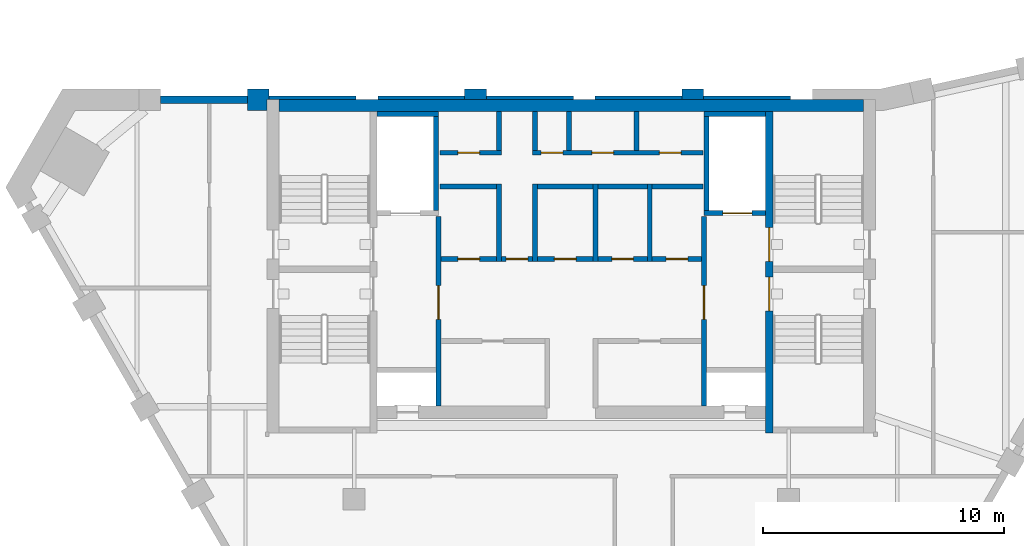
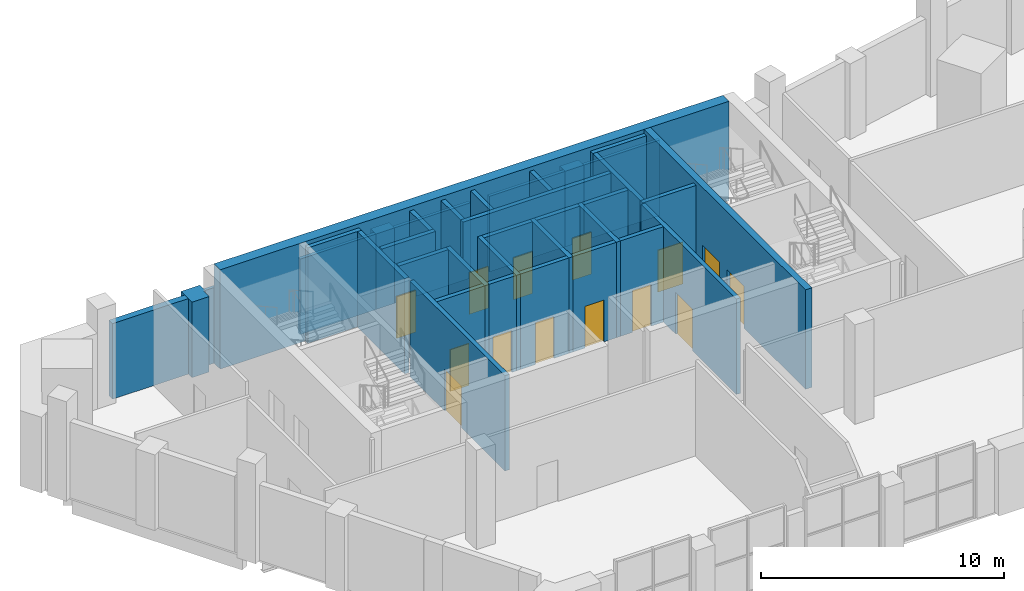
# One storey, part 5 of 9: 37 walls, 14 doors, 14 openings.
"""IFC4 building model written with IfcOpenShell, lengths in metres."""

from ifc_helpers import new_model, si_unit, direction, frame, frame_2d, origin, place, context, subcontext, project, spatial, polyline, rectangle, outline, extrude, material, layer, layer_set, type_object, element, fill, save


model = new_model("IFC4")

# Units and contexts
model_context = context("Model", 3, precision=1e-05, world=origin(), true_north=direction((0.0, 1.0)))
body_context = subcontext(model_context, "Body", "Model", "MODEL_VIEW")
ifc_project = project(units=[si_unit("LENGTHUNIT", "METRE"), si_unit("AREAUNIT", "SQUARE_METRE"), si_unit("VOLUMEUNIT", "CUBIC_METRE"), si_unit("PLANEANGLEUNIT", "RADIAN"), si_unit("MASSUNIT", "GRAM", prefix="KILO")], contexts=[model_context])

# Site, building, storey
site_placement = place(None, origin())
site = spatial("IfcSite", under=ifc_project, at=site_placement, CompositionType="ELEMENT")
building_placement = place(site_placement, origin())
building = spatial("IfcBuilding", under=site, at=building_placement, Name="Calabash Gate Tower", CompositionType="ELEMENT")
storey_placement = place(building_placement, frame((0.0, 0.0, 325.5)))
storey = spatial("IfcBuildingStorey", under=building, at=storey_placement, Name="L76", CompositionType="ELEMENT", Elevation=325.5)

# Walls
ifc_material_1 = material(Name="Terracotta brick masonry, exposed face", Category="masonry")
ifc_layer_1 = layer(ifc_material_1, 0.89990234375)
ifc_layer_set_1 = layer_set([ifc_layer_1], Name="Brick end wall 900")
wall_type_1 = type_object("IfcWallType", Name="Brick end wall 900", PredefinedType="SOLIDWALL", material=ifc_layer_set_1)
wall_1_placement = place(storey_placement, origin())
element("IfcWall", 1, at=wall_1_placement, inside=storey, type_object=wall_type_1, Name="Brick pier L76 crown6.1", PredefinedType="SOLIDWALL", context=body_context, shape_type="SweptSolid", body=[
    extrude(outline(polyline([(4.584228515625, 19.50244140625), (4.584228515625, 19.052490234375), (5.484375, 19.052490234375), (5.484375, 19.50244140625), (4.584228515625, 19.50244140625)])), origin(), (0.0, 0.0, 1.0), 3.800048828125),
])
wall_2_placement = place(storey_placement, origin())
element("IfcWall", 2, at=wall_2_placement, inside=storey, type_object=wall_type_1, Name="Brick pier L76 crown6.3", PredefinedType="SOLIDWALL", context=body_context, shape_type="SweptSolid", body=[
    extrude(outline(polyline([(-4.415771484375, 19.50244140625), (-4.415771484375, 19.052490234375), (-3.515625, 19.052490234375), (-3.515625, 19.50244140625), (-4.415771484375, 19.50244140625)])), origin(), (0.0, 0.0, 1.0), 3.800048828125),
])
wall_3_placement = place(storey_placement, origin())
element("IfcWall", 3, at=wall_3_placement, inside=storey, type_object=wall_type_1, Name="Brick pier L76 crown6.5", PredefinedType="SOLIDWALL", context=body_context, shape_type="SweptSolid", body=[
    extrude(outline(polyline([(-13.415771484375, 19.50244140625), (-13.415771484375, 18.6025390625), (-12.60009765625, 18.6025390625), (-12.60009765625, 19.052490234375), (-12.515625, 19.052490234375), (-12.515625, 19.50244140625), (-13.415771484375, 19.50244140625)])), origin(), (0.0, 0.0, 1.0), 3.800048828125),
])

# Wall, opening, door
ifc_material_2 = material(Name="Gypsum board on steel studs, mineral wool", Category="steel")
ifc_layer_2 = layer(ifc_material_2, 0.199951171875)
ifc_layer_set_2 = layer_set([ifc_layer_2], Name="Core partition 200 gypsum board")
wall_type_2 = type_object("IfcWallType", Name="Core partition 200 gypsum board", PredefinedType="PARTITIONING", material=ifc_layer_set_2)
wall_4_placement = place(storey_placement, frame((-5.39990234375, 12.45263671875, 0.0), z_axis=(0.0, 0.0, 1.0), x_axis=(1.0, 0.0, 0.0)))
wall_4 = element("IfcWall", 4, at=wall_4_placement, inside=storey, type_object=wall_type_2, Name="Core partition", PredefinedType="PARTITIONING", context=body_context, shape_type="SweptSolid", body=[
    extrude(rectangle(XDim=2.2998046875, YDim=0.199951171875, at=frame_2d((1.14990234375, 0.0))), origin(), (0.0, 0.0, 1.0), 4.800048828125),
])
opening_1_placement = place(wall_4_placement, frame((0.699951171875, 0.0, 0.0)))
opening_1 = element("IfcOpeningElement", 5, at=opening_1_placement, cuts=wall_4, Name="Opening L76-020", PredefinedType="OPENING", context=body_context, shape_type="SweptSolid", body=[
    extrude(rectangle(XDim=0.89990234375, YDim=2.10009765625, at=frame_2d((0.449951171875, 1.050048828125))), frame((0.0, 0.10986328125, 0.0), z_axis=(0.0, -1.0, 0.0), x_axis=(1.0, 0.0, 0.0)), (0.0, 0.0, 1.0), 0.219970703125),
])
ifc_material_3 = material(Name="Steel fire door set with fire-resisting glazing", Category="steel")
door_type_1 = type_object("IfcDoorType", Name="Fire door D06 900x2100 FD60", OperationType="NOTDEFINED", PredefinedType="DOOR", material=ifc_material_3)
door_1_placement = place(opening_1_placement, origin())
door_1 = element("IfcDoor", 6, at=door_1_placement, inside=storey, type_object=door_type_1, Name="Mechanical Pump Room door", OperationType="SINGLE_SWING_RIGHT", OverallHeight=2.10009765625, OverallWidth=0.89990234375, PredefinedType="DOOR", context=body_context, shape_type="SweptSolid", body=[
    extrude(rectangle(XDim=0.89990234375, YDim=2.10009765625, at=frame_2d((0.449951171875, 1.050048828125))), frame((0.0, 0.02490234375, 0.0), z_axis=(0.0, -1.0, 0.0), x_axis=(1.0, 0.0, 0.0)), (0.0, 0.0, 1.0), 0.050048828125),
])
fill(opening_1, door_1)

# Wall
wall_5_placement = place(storey_placement, frame((-3.0, 12.3525390625, 0.0), z_axis=(0.0, 0.0, 1.0), x_axis=(0.0, 1.0, 0.0)))
element("IfcWall", 7, at=wall_5_placement, inside=storey, type_object=wall_type_2, Name="Core partition", PredefinedType="PARTITIONING", context=body_context, shape_type="SweptSolid", body=[
    extrude(rectangle(XDim=3.199951171875, YDim=0.199951171875, at=frame_2d((1.60009765625, 0.0))), origin(), (0.0, 0.0, 1.0), 4.800048828125),
])

# Wall, opening, door
wall_6_placement = place(storey_placement, frame((-2.89990234375, 12.45263671875, 0.0), z_axis=(0.0, 0.0, 1.0), x_axis=(1.0, 0.0, 0.0)))
wall_6 = element("IfcWall", 8, at=wall_6_placement, inside=storey, type_object=wall_type_2, Name="Core partition", PredefinedType="PARTITIONING", context=body_context, shape_type="SweptSolid", body=[
    extrude(rectangle(XDim=1.2998046875, YDim=0.199951171875, at=frame_2d((0.64990234375, 0.0))), origin(), (0.0, 0.0, 1.0), 4.800048828125),
])
opening_2_placement = place(wall_6_placement, frame((0.199951171875, 0.0, 0.0)))
opening_2 = element("IfcOpeningElement", 9, at=opening_2_placement, cuts=wall_6, Name="Opening L76-009", PredefinedType="OPENING", context=body_context, shape_type="SweptSolid", body=[
    extrude(rectangle(XDim=0.89990234375, YDim=2.10009765625, at=frame_2d((0.449951171875, 1.050048828125))), frame((0.0, 0.10986328125, 0.0), z_axis=(0.0, -1.0, 0.0), x_axis=(1.0, 0.0, 0.0)), (0.0, 0.0, 1.0), 0.219970703125),
])
door_2_placement = place(opening_2_placement, origin())
door_2 = element("IfcDoor", 10, at=door_2_placement, inside=storey, type_object=door_type_1, Name="Service Corridor door", OperationType="SINGLE_SWING_RIGHT", OverallHeight=2.10009765625, OverallWidth=0.89990234375, PredefinedType="DOOR", context=body_context, shape_type="SweptSolid", body=[
    extrude(rectangle(XDim=0.89990234375, YDim=2.10009765625, at=frame_2d((0.449951171875, 1.050048828125))), frame((0.0, 0.02490234375, 0.0), z_axis=(0.0, -1.0, 0.0), x_axis=(1.0, 0.0, 0.0)), (0.0, 0.0, 1.0), 0.050048828125),
])
fill(opening_2, door_2)

# Wall
wall_7_placement = place(storey_placement, frame((-1.5, 12.3525390625, 0.0), z_axis=(0.0, 0.0, 1.0), x_axis=(0.0, 1.0, 0.0)))
element("IfcWall", 11, at=wall_7_placement, inside=storey, type_object=wall_type_2, Name="Core partition", PredefinedType="PARTITIONING", context=body_context, shape_type="SweptSolid", body=[
    extrude(rectangle(XDim=3.199951171875, YDim=0.199951171875, at=frame_2d((1.60009765625, 0.0))), origin(), (0.0, 0.0, 1.0), 4.800048828125),
])

# Wall, opening, door
wall_8_placement = place(storey_placement, frame((-1.39990234375, 12.45263671875, 0.0), z_axis=(0.0, 0.0, 1.0), x_axis=(1.0, 0.0, 0.0)))
wall_8 = element("IfcWall", 12, at=wall_8_placement, inside=storey, type_object=wall_type_2, Name="Core partition", PredefinedType="PARTITIONING", context=body_context, shape_type="SweptSolid", body=[
    extrude(rectangle(XDim=2.2998046875, YDim=0.199951171875, at=frame_2d((1.14990234375, 0.0))), origin(), (0.0, 0.0, 1.0), 4.800048828125),
])
opening_3_placement = place(wall_8_placement, frame((0.699951171875, 0.0, 0.0)))
opening_3 = element("IfcOpeningElement", 13, at=opening_3_placement, cuts=wall_8, Name="Opening L76-021", PredefinedType="OPENING", context=body_context, shape_type="SweptSolid", body=[
    extrude(rectangle(XDim=0.89990234375, YDim=2.10009765625, at=frame_2d((0.449951171875, 1.050048828125))), frame((0.0, 0.10986328125, 0.0), z_axis=(0.0, -1.0, 0.0), x_axis=(1.0, 0.0, 0.0)), (0.0, 0.0, 1.0), 0.219970703125),
])
door_3_placement = place(opening_3_placement, origin())
door_3 = element("IfcDoor", 14, at=door_3_placement, inside=storey, type_object=door_type_1, Name="Heat Exchanger Plant Room door", OperationType="SINGLE_SWING_RIGHT", OverallHeight=2.10009765625, OverallWidth=0.89990234375, PredefinedType="DOOR", context=body_context, shape_type="SweptSolid", body=[
    extrude(rectangle(XDim=0.89990234375, YDim=2.10009765625, at=frame_2d((0.449951171875, 1.050048828125))), frame((0.0, 0.02490234375, 0.0), z_axis=(0.0, -1.0, 0.0), x_axis=(1.0, 0.0, 0.0)), (0.0, 0.0, 1.0), 0.050048828125),
])
fill(opening_3, door_3)

# Wall
wall_9_placement = place(storey_placement, frame((1.0, 12.3525390625, 0.0), z_axis=(0.0, 0.0, 1.0), x_axis=(0.0, 1.0, 0.0)))
element("IfcWall", 15, at=wall_9_placement, inside=storey, type_object=wall_type_2, Name="Core partition", PredefinedType="PARTITIONING", context=body_context, shape_type="SweptSolid", body=[
    extrude(rectangle(XDim=3.199951171875, YDim=0.199951171875, at=frame_2d((1.60009765625, 0.0))), origin(), (0.0, 0.0, 1.0), 4.800048828125),
])

# Wall, opening, door
wall_10_placement = place(storey_placement, frame((1.10009765625, 12.45263671875, 0.0), z_axis=(0.0, 0.0, 1.0), x_axis=(1.0, 0.0, 0.0)))
wall_10 = element("IfcWall", 16, at=wall_10_placement, inside=storey, type_object=wall_type_2, Name="Core partition", PredefinedType="PARTITIONING", context=body_context, shape_type="SweptSolid", body=[
    extrude(rectangle(XDim=2.0498046875, YDim=0.199951171875, at=frame_2d((1.02490234375, 0.0))), origin(), (0.0, 0.0, 1.0), 4.800048828125),
])
opening_4_placement = place(wall_10_placement, frame((0.574951171875, 0.0, 0.0)))
opening_4 = element("IfcOpeningElement", 17, at=opening_4_placement, cuts=wall_10, Name="Opening L76-018", PredefinedType="OPENING", context=body_context, shape_type="SweptSolid", body=[
    extrude(rectangle(XDim=0.89990234375, YDim=2.10009765625, at=frame_2d((0.449951171875, 1.050048828125))), frame((0.0, 0.10986328125, 0.0), z_axis=(0.0, -1.0, 0.0), x_axis=(1.0, 0.0, 0.0)), (0.0, 0.0, 1.0), 0.219970703125),
])
door_4_placement = place(opening_4_placement, origin())
door_4 = element("IfcDoor", 18, at=door_4_placement, inside=storey, type_object=door_type_1, Name="Maintenance Store door", OperationType="SINGLE_SWING_RIGHT", OverallHeight=2.10009765625, OverallWidth=0.89990234375, PredefinedType="DOOR", context=body_context, shape_type="SweptSolid", body=[
    extrude(rectangle(XDim=0.89990234375, YDim=2.10009765625, at=frame_2d((0.449951171875, 1.050048828125))), frame((0.0, 0.02490234375, 0.0), z_axis=(0.0, -1.0, 0.0), x_axis=(1.0, 0.0, 0.0)), (0.0, 0.0, 1.0), 0.050048828125),
])
fill(opening_4, door_4)

# Wall
wall_11_placement = place(storey_placement, frame((3.25, 12.3525390625, 0.0), z_axis=(0.0, 0.0, 1.0), x_axis=(0.0, 1.0, 0.0)))
element("IfcWall", 19, at=wall_11_placement, inside=storey, type_object=wall_type_2, Name="Core partition", PredefinedType="PARTITIONING", context=body_context, shape_type="SweptSolid", body=[
    extrude(rectangle(XDim=3.199951171875, YDim=0.199951171875, at=frame_2d((1.60009765625, 0.0))), origin(), (0.0, 0.0, 1.0), 4.800048828125),
])

# Wall, opening, door
wall_12_placement = place(storey_placement, frame((3.35009765625, 12.45263671875, 0.0), z_axis=(0.0, 0.0, 1.0), x_axis=(1.0, 0.0, 0.0)))
wall_12 = element("IfcWall", 20, at=wall_12_placement, inside=storey, type_object=wall_type_2, Name="Core partition", PredefinedType="PARTITIONING", context=body_context, shape_type="SweptSolid", body=[
    extrude(rectangle(XDim=2.0498046875, YDim=0.199951171875, at=frame_2d((1.02490234375, 0.0))), origin(), (0.0, 0.0, 1.0), 4.800048828125),
])
opening_5_placement = place(wall_12_placement, frame((0.574951171875, 0.0, 0.0)))
opening_5 = element("IfcOpeningElement", 21, at=opening_5_placement, cuts=wall_12, Name="Opening L76-019", PredefinedType="OPENING", context=body_context, shape_type="SweptSolid", body=[
    extrude(rectangle(XDim=0.89990234375, YDim=2.10009765625, at=frame_2d((0.449951171875, 1.050048828125))), frame((0.0, 0.10986328125, 0.0), z_axis=(0.0, -1.0, 0.0), x_axis=(1.0, 0.0, 0.0)), (0.0, 0.0, 1.0), 0.219970703125),
])
door_5_placement = place(opening_5_placement, origin())
door_5 = element("IfcDoor", 22, at=door_5_placement, inside=storey, type_object=door_type_1, Name="Plant Control Room door", OperationType="SINGLE_SWING_LEFT", OverallHeight=2.10009765625, OverallWidth=0.89990234375, PredefinedType="DOOR", context=body_context, shape_type="SweptSolid", body=[
    extrude(rectangle(XDim=0.89990234375, YDim=2.10009765625, at=frame_2d((0.449951171875, 1.050048828125))), frame((0.0, 0.02490234375, 0.0), z_axis=(0.0, -1.0, 0.0), x_axis=(1.0, 0.0, 0.0)), (0.0, 0.0, 1.0), 0.050048828125),
])
fill(opening_5, door_5)

# Walls
wall_13_placement = place(storey_placement, frame((-1.39990234375, 15.45263671875, 0.0), z_axis=(0.0, 0.0, 1.0), x_axis=(1.0, 0.0, 0.0)))
element("IfcWall", 23, at=wall_13_placement, inside=storey, type_object=wall_type_2, Name="Core partition", PredefinedType="PARTITIONING", context=body_context, shape_type="SweptSolid", body=[
    extrude(rectangle(XDim=2.2998046875, YDim=0.199951171875, at=frame_2d((1.14990234375, 0.0))), origin(), (0.0, 0.0, 1.0), 4.800048828125),
])
wall_14_placement = place(storey_placement, frame((1.10009765625, 15.45263671875, 0.0), z_axis=(0.0, 0.0, 1.0), x_axis=(1.0, 0.0, 0.0)))
element("IfcWall", 24, at=wall_14_placement, inside=storey, type_object=wall_type_2, Name="Core partition", PredefinedType="PARTITIONING", context=body_context, shape_type="SweptSolid", body=[
    extrude(rectangle(XDim=2.0498046875, YDim=0.199951171875, at=frame_2d((1.02490234375, 0.0))), origin(), (0.0, 0.0, 1.0), 4.800048828125),
])
for number, where, z_axis, x_axis, name in (
    (25, (-3.0, 16.95263671875, 0.0), (0.0, 0.0, 1.0), (0.0, 1.0, 0.0), "Core partition"),
    (26, (-1.5, 16.95263671875, 0.0), (0.0, 0.0, 1.0), (0.0, 1.0, 0.0), "Core partition"),
    (27, (-0.10009765625, 16.95263671875, 0.0), (0.0, 0.0, 1.0), (0.0, 1.0, 0.0), "Core partition"),
    (28, (2.699951171875, 16.95263671875, 0.0), (0.0, 0.0, 1.0), (0.0, 1.0, 0.0), "Core partition"),
):
    element("IfcWall", number, at=place(storey_placement, frame(where, z_axis=z_axis, x_axis=x_axis)), inside=storey, type_object=wall_type_2, Name=name, PredefinedType="PARTITIONING", context=body_context, shape_type="SweptSolid", body=[
        extrude(rectangle(XDim=1.599853515625, YDim=0.199951171875, at=frame_2d((0.7998046875, 0.0))), origin(), (0.0, 0.0, 1.0), 4.800048828125),
    ])

# Wall, openings, doors
ifc_material_4 = material(Name="Concrete C60/75", Category="concrete")
ifc_layer_3 = layer(ifc_material_4, 0.300048828125)
ifc_layer_set_3 = layer_set([ifc_layer_3], Name="Core wall 300 Concrete C60/75")
wall_type_3 = type_object("IfcWallType", Name="Core wall 300 Concrete C60/75", PredefinedType="SHEAR", material=ifc_layer_set_3)
wall_15_placement = place(storey_placement, frame((8.199951171875, 5.252685546875, 0.0), z_axis=(0.0, 0.0, 1.0), x_axis=(0.0, 1.0, 0.0)))
wall_15 = element("IfcWall", 29, at=wall_15_placement, inside=storey, type_object=wall_type_3, Name="Core wall C-PARTE L76", PredefinedType="SHEAR", context=body_context, shape_type="SweptSolid", body=[
    extrude(rectangle(XDim=13.2998046875, YDim=0.300048828125, at=frame_2d((6.64990234375, 0.0))), origin(), (0.0, 0.0, 1.0), 5.0),
])
opening_6_placement = place(wall_15_placement, frame((7.10009765625, 0.0, 0.0)))
opening_6 = element("IfcOpeningElement", 30, at=opening_6_placement, cuts=wall_15, Name="Opening L76-003", PredefinedType="OPENING", context=body_context, shape_type="SweptSolid", body=[
    extrude(rectangle(XDim=1.39990234375, YDim=2.10009765625, at=frame_2d((0.699951171875, 1.050048828125))), frame((0.0, 0.159912109375, 0.0), z_axis=(0.0, -1.0, 0.0), x_axis=(1.0, 0.0, 0.0)), (0.0, 0.0, 1.0), 0.320068359375),
])
opening_7_placement = place(wall_15_placement, frame((5.050048828125, 0.0, 0.0)))
opening_7 = element("IfcOpeningElement", 31, at=opening_7_placement, cuts=wall_15, Name="Opening L76-004", PredefinedType="OPENING", context=body_context, shape_type="SweptSolid", body=[
    extrude(rectangle(XDim=1.39990234375, YDim=2.10009765625, at=frame_2d((0.699951171875, 1.050048828125))), frame((0.0, 0.159912109375, 0.0), z_axis=(0.0, -1.0, 0.0), x_axis=(1.0, 0.0, 0.0)), (0.0, 0.0, 1.0), 0.320068359375),
])
ifc_material_5 = material(Name="Steel fire door set with fire-resisting glazing", Category="steel")
door_type_2 = type_object("IfcDoorType", Name="Fire door D05 1400x2100 FD90", OperationType="NOTDEFINED", PredefinedType="DOOR", material=ifc_material_5)
door_6_placement = place(opening_6_placement, origin())
door_6 = element("IfcDoor", 32, at=door_6_placement, inside=storey, type_object=door_type_2, Name="Exit stair door ST3", OperationType="SINGLE_SWING_RIGHT", OverallHeight=2.10009765625, OverallWidth=1.39990234375, PredefinedType="DOOR", context=body_context, shape_type="SweptSolid", body=[
    extrude(rectangle(XDim=1.39990234375, YDim=2.10009765625, at=frame_2d((0.699951171875, 1.050048828125))), frame((0.0, 0.02490234375, 0.0), z_axis=(0.0, -1.0, 0.0), x_axis=(1.0, 0.0, 0.0)), (0.0, 0.0, 1.0), 0.050048828125),
])
fill(opening_6, door_6)
door_7_placement = place(opening_7_placement, origin())
door_7 = element("IfcDoor", 33, at=door_7_placement, inside=storey, type_object=door_type_2, Name="Exit stair door ST4", OperationType="SINGLE_SWING_LEFT", OverallHeight=2.10009765625, OverallWidth=1.39990234375, PredefinedType="DOOR", context=body_context, shape_type="SweptSolid", body=[
    extrude(rectangle(XDim=1.39990234375, YDim=2.10009765625, at=frame_2d((0.699951171875, 1.050048828125))), frame((0.0, 0.02490234375, 0.0), z_axis=(0.0, -1.0, 0.0), x_axis=(1.0, 0.0, 0.0)), (0.0, 0.0, 1.0), 0.050048828125),
])
fill(opening_7, door_7)

# Wall
ifc_material_6 = material(Name="Concrete C60/75", Category="concrete")
ifc_layer_4 = layer(ifc_material_6, 0.5)
ifc_layer_set_4 = layer_set([ifc_layer_4], Name="Core wall 500 Concrete C60/75")
wall_type_4 = type_object("IfcWallType", Name="Core wall 500 Concrete C60/75", PredefinedType="SHEAR", material=ifc_layer_set_4)
wall_16_placement = place(storey_placement, frame((-12.10009765625, 18.802490234375, 0.0), z_axis=(0.0, 0.0, 1.0), x_axis=(1.0, 0.0, 0.0)))
element("IfcWall", 34, at=wall_16_placement, inside=storey, type_object=wall_type_4, Name="Core wall C-N L76", PredefinedType="SHEAR", context=body_context, shape_type="SweptSolid", body=[
    extrude(rectangle(XDim=24.2001953125, YDim=0.5, at=frame_2d((12.10009765625, 0.0))), origin(), (0.0, 0.0, 1.0), 5.0),
])

# Wall, opening, door
ifc_material_7 = material(Name="Concrete C40/50", Category="concrete")
ifc_layer_5 = layer(ifc_material_7, 0.199951171875)
ifc_layer_set_5 = layer_set([ifc_layer_5], Name="Shaft wall 200 Concrete C40/50")
wall_type_5 = type_object("IfcWallType", Name="Shaft wall 200 Concrete C40/50", PredefinedType="SOLIDWALL", material=ifc_layer_set_5)
wall_17_placement = place(storey_placement, frame((-5.5, 6.3525390625, 0.0), z_axis=(0.0, 0.0, 1.0), x_axis=(0.0, 1.0, 0.0)))
wall_17 = element("IfcWall", 35, at=wall_17_placement, inside=storey, type_object=wall_type_5, Name="Shaft wall", PredefinedType="SOLIDWALL", context=body_context, shape_type="SweptSolid", body=[
    extrude(rectangle(XDim=7.85009765625, YDim=0.199951171875, at=frame_2d((3.925048828125, 0.0))), origin(), (0.0, 0.0, 1.0), 4.800048828125),
])
opening_8_placement = place(wall_17_placement, frame((3.60009765625, 0.0, 0.0)))
opening_8 = element("IfcOpeningElement", 36, at=opening_8_placement, cuts=wall_17, Name="Opening L76-010", PredefinedType="OPENING", context=body_context, shape_type="SweptSolid", body=[
    extrude(rectangle(XDim=1.39990234375, YDim=2.10009765625, at=frame_2d((0.699951171875, 1.050048828125))), frame((0.0, 0.10986328125, 0.0), z_axis=(0.0, -1.0, 0.0), x_axis=(1.0, 0.0, 0.0)), (0.0, 0.0, 1.0), 0.219970703125),
])
door_8_placement = place(opening_8_placement, origin())
door_8 = element("IfcDoor", 37, at=door_8_placement, inside=storey, type_object=door_type_2, Name="Firefighting Lobby W door", OperationType="SINGLE_SWING_RIGHT", OverallHeight=2.10009765625, OverallWidth=1.39990234375, PredefinedType="DOOR", context=body_context, shape_type="SweptSolid", body=[
    extrude(rectangle(XDim=1.39990234375, YDim=2.10009765625, at=frame_2d((0.699951171875, 1.050048828125))), frame((0.0, 0.02490234375, 0.0), z_axis=(0.0, -1.0, 0.0), x_axis=(1.0, 0.0, 0.0)), (0.0, 0.0, 1.0), 0.050048828125),
])
fill(opening_8, door_8)

wall_18_placement = place(storey_placement, frame((5.5, 6.3525390625, 0.0), z_axis=(0.0, 0.0, 1.0), x_axis=(0.0, 1.0, 0.0)))
wall_18 = element("IfcWall", 38, at=wall_18_placement, inside=storey, type_object=wall_type_5, Name="Shaft wall", PredefinedType="SOLIDWALL", context=body_context, shape_type="SweptSolid", body=[
    extrude(rectangle(XDim=7.85009765625, YDim=0.199951171875, at=frame_2d((3.925048828125, 0.0))), origin(), (0.0, 0.0, 1.0), 4.800048828125),
])
opening_9_placement = place(wall_18_placement, frame((3.60009765625, 0.0, 0.0)))
opening_9 = element("IfcOpeningElement", 39, at=opening_9_placement, cuts=wall_18, Name="Opening L76-011", PredefinedType="OPENING", context=body_context, shape_type="SweptSolid", body=[
    extrude(rectangle(XDim=1.39990234375, YDim=2.10009765625, at=frame_2d((0.699951171875, 1.050048828125))), frame((0.0, 0.10986328125, 0.0), z_axis=(0.0, -1.0, 0.0), x_axis=(1.0, 0.0, 0.0)), (0.0, 0.0, 1.0), 0.219970703125),
])
door_9_placement = place(opening_9_placement, origin())
door_9 = element("IfcDoor", 40, at=door_9_placement, inside=storey, type_object=door_type_2, Name="Firefighting Lobby E door", OperationType="SINGLE_SWING_LEFT", OverallHeight=2.10009765625, OverallWidth=1.39990234375, PredefinedType="DOOR", context=body_context, shape_type="SweptSolid", body=[
    extrude(rectangle(XDim=1.39990234375, YDim=2.10009765625, at=frame_2d((0.699951171875, 1.050048828125))), frame((0.0, 0.02490234375, 0.0), z_axis=(0.0, -1.0, 0.0), x_axis=(1.0, 0.0, 0.0)), (0.0, 0.0, 1.0), 0.050048828125),
])
fill(opening_9, door_9)

wall_19_placement = place(storey_placement, frame((5.5, 14.3525390625, 0.0), z_axis=(0.0, 0.0, 1.0), x_axis=(1.0, 0.0, 0.0)))
wall_19 = element("IfcWall", 41, at=wall_19_placement, inside=storey, type_object=wall_type_5, Name="Shaft wall", PredefinedType="SOLIDWALL", context=body_context, shape_type="SweptSolid", body=[
    extrude(rectangle(XDim=2.550048828125, YDim=0.199951171875, at=frame_2d((1.27490234375, 0.0))), origin(), (0.0, 0.0, 1.0), 4.800048828125),
])
opening_10_placement = place(wall_19_placement, frame((0.77490234375, 0.0, 0.0)))
opening_10 = element("IfcOpeningElement", 42, at=opening_10_placement, cuts=wall_19, Name="Opening LD-FF2", PredefinedType="OPENING", context=body_context, shape_type="SweptSolid", body=[
    extrude(rectangle(XDim=1.199951171875, YDim=2.10009765625, at=frame_2d((0.60009765625, 1.050048828125))), frame((0.0, 0.10986328125, 0.0), z_axis=(0.0, -1.0, 0.0), x_axis=(1.0, 0.0, 0.0)), (0.0, 0.0, 1.0), 0.219970703125),
])
ifc_material_8 = material(Name="Stainless steel sliding door leaves", Category="steel")
door_type_3 = type_object("IfcDoorType", Name="Lift landing door LS3 1200x2100 FD90", OperationType="DOUBLE_DOOR_SLIDING", PredefinedType="DOOR", material=ifc_material_8)
door_10_placement = place(opening_10_placement, origin())
door_10 = element("IfcDoor", 43, at=door_10_placement, inside=storey, type_object=door_type_3, Name="Lift landing door FF2", OperationType="DOUBLE_DOOR_SLIDING", OverallHeight=2.10009765625, OverallWidth=1.199951171875, PredefinedType="DOOR", context=body_context, shape_type="SweptSolid", body=[
    extrude(rectangle(XDim=1.199951171875, YDim=2.10009765625, at=frame_2d((0.60009765625, 1.050048828125))), frame((0.0, 0.02490234375, 0.0), z_axis=(0.0, -1.0, 0.0), x_axis=(1.0, 0.0, 0.0)), (0.0, 0.0, 1.0), 0.050048828125),
])
fill(opening_10, door_10)

# Walls
for number, where, z_axis, x_axis, name in (
    (44, (-5.60009765625, 14.45263671875, 0.0), (0.0, 0.0, 1.0), (0.0, 1.0, 0.0), "Shaft wall"),
    (45, (5.60009765625, 14.45263671875, 0.0), (0.0, 0.0, 1.0), (0.0, 1.0, 0.0), "Shaft wall"),
):
    element("IfcWall", number, at=place(storey_placement, frame(where, z_axis=z_axis, x_axis=x_axis)), inside=storey, type_object=wall_type_5, Name=name, PredefinedType="SOLIDWALL", context=body_context, shape_type="SweptSolid", body=[
        extrude(rectangle(XDim=3.89990234375, YDim=0.199951171875, at=frame_2d((1.949951171875, 0.0))), origin(), (0.0, 0.0, 1.0), 4.800048828125),
    ])
wall_20_placement = place(storey_placement, frame((-5.449951171875, 15.45263671875, 0.0), z_axis=(0.0, 0.0, 1.0), x_axis=(1.0, 0.0, 0.0)))
element("IfcWall", 46, at=wall_20_placement, inside=storey, type_object=wall_type_5, Name="Shaft wall", PredefinedType="SOLIDWALL", context=body_context, shape_type="SweptSolid", body=[
    extrude(rectangle(XDim=2.349853515625, YDim=0.199951171875, at=frame_2d((1.1748046875, 0.0))), origin(), (0.0, 0.0, 1.0), 4.800048828125),
])
wall_21_placement = place(storey_placement, frame((3.35009765625, 15.45263671875, 0.0), z_axis=(0.0, 0.0, 1.0), x_axis=(1.0, 0.0, 0.0)))
element("IfcWall", 47, at=wall_21_placement, inside=storey, type_object=wall_type_5, Name="Shaft wall", PredefinedType="SOLIDWALL", context=body_context, shape_type="SweptSolid", body=[
    extrude(rectangle(XDim=2.099853515625, YDim=0.199951171875, at=frame_2d((1.0498046875, 0.0))), origin(), (0.0, 0.0, 1.0), 4.800048828125),
])

# Wall, opening, door
wall_22_placement = place(storey_placement, frame((-5.449951171875, 16.8525390625, 0.0), z_axis=(0.0, 0.0, 1.0), x_axis=(1.0, 0.0, 0.0)))
wall_22 = element("IfcWall", 48, at=wall_22_placement, inside=storey, type_object=wall_type_5, Name="Shaft wall", PredefinedType="SOLIDWALL", context=body_context, shape_type="SweptSolid", body=[
    extrude(rectangle(XDim=2.550048828125, YDim=0.199951171875, at=frame_2d((1.27490234375, 0.0))), origin(), (0.0, 0.0, 1.0), 4.800048828125),
])
opening_11_placement = place(wall_22_placement, frame((0.75, 0.0, 0.0)))
opening_11 = element("IfcOpeningElement", 49, at=opening_11_placement, cuts=wall_22, Name="Opening L76-012", PredefinedType="OPENING", context=body_context, shape_type="SweptSolid", body=[
    extrude(rectangle(XDim=0.89990234375, YDim=2.10009765625, at=frame_2d((0.449951171875, 1.050048828125))), frame((0.0, 0.10986328125, 0.0), z_axis=(0.0, -1.0, 0.0), x_axis=(1.0, 0.0, 0.0)), (0.0, 0.0, 1.0), 0.219970703125),
])
door_11_placement = place(opening_11_placement, origin())
door_11 = element("IfcDoor", 50, at=door_11_placement, inside=storey, type_object=door_type_1, Name="HV Transformer Room door", OperationType="SINGLE_SWING_LEFT", OverallHeight=2.10009765625, OverallWidth=0.89990234375, PredefinedType="DOOR", context=body_context, shape_type="SweptSolid", body=[
    extrude(rectangle(XDim=0.89990234375, YDim=2.10009765625, at=frame_2d((0.449951171875, 1.050048828125))), frame((0.0, 0.02490234375, 0.0), z_axis=(0.0, -1.0, 0.0), x_axis=(1.0, 0.0, 0.0)), (0.0, 0.0, 1.0), 0.050048828125),
])
fill(opening_11, door_11)

# Wall, openings, doors
wall_23_placement = place(storey_placement, frame((-1.60009765625, 16.8525390625, 0.0), z_axis=(0.0, 0.0, 1.0), x_axis=(1.0, 0.0, 0.0)))
wall_23 = element("IfcWall", 51, at=wall_23_placement, inside=storey, type_object=wall_type_5, Name="Shaft wall", PredefinedType="SOLIDWALL", context=body_context, shape_type="SweptSolid", body=[
    extrude(rectangle(XDim=7.050048828125, YDim=0.199951171875, at=frame_2d((3.52490234375, 0.0))), origin(), (0.0, 0.0, 1.0), 4.800048828125),
])
opening_12_placement = place(wall_23_placement, frame((0.35009765625, 0.0, 0.0)))
opening_12 = element("IfcOpeningElement", 52, at=opening_12_placement, cuts=wall_23, Name="Opening L76-013", PredefinedType="OPENING", context=body_context, shape_type="SweptSolid", body=[
    extrude(rectangle(XDim=0.89990234375, YDim=2.10009765625, at=frame_2d((0.449951171875, 1.050048828125))), frame((0.0, 0.10986328125, 0.0), z_axis=(0.0, -1.0, 0.0), x_axis=(1.0, 0.0, 0.0)), (0.0, 0.0, 1.0), 0.219970703125),
])
opening_13_placement = place(wall_23_placement, frame((2.449951171875, 0.0, 0.0)))
opening_13 = element("IfcOpeningElement", 53, at=opening_13_placement, cuts=wall_23, Name="Opening L76-014", PredefinedType="OPENING", context=body_context, shape_type="SweptSolid", body=[
    extrude(rectangle(XDim=0.89990234375, YDim=2.10009765625, at=frame_2d((0.449951171875, 1.050048828125))), frame((0.0, 0.10986328125, 0.0), z_axis=(0.0, -1.0, 0.0), x_axis=(1.0, 0.0, 0.0)), (0.0, 0.0, 1.0), 0.219970703125),
])
opening_14_placement = place(wall_23_placement, frame((5.25, 0.0, 0.0)))
opening_14 = element("IfcOpeningElement", 54, at=opening_14_placement, cuts=wall_23, Name="Opening L76-015", PredefinedType="OPENING", context=body_context, shape_type="SweptSolid", body=[
    extrude(rectangle(XDim=0.89990234375, YDim=2.10009765625, at=frame_2d((0.449951171875, 1.050048828125))), frame((0.0, 0.10986328125, 0.0), z_axis=(0.0, -1.0, 0.0), x_axis=(1.0, 0.0, 0.0)), (0.0, 0.0, 1.0), 0.219970703125),
])
door_12_placement = place(opening_12_placement, origin())
door_12 = element("IfcDoor", 55, at=door_12_placement, inside=storey, type_object=door_type_1, Name="Chilled Water Plant door", OperationType="SINGLE_SWING_LEFT", OverallHeight=2.10009765625, OverallWidth=0.89990234375, PredefinedType="DOOR", context=body_context, shape_type="SweptSolid", body=[
    extrude(rectangle(XDim=0.89990234375, YDim=2.10009765625, at=frame_2d((0.449951171875, 1.050048828125))), frame((0.0, 0.02490234375, 0.0), z_axis=(0.0, -1.0, 0.0), x_axis=(1.0, 0.0, 0.0)), (0.0, 0.0, 1.0), 0.050048828125),
])
fill(opening_12, door_12)
door_13_placement = place(opening_13_placement, origin())
door_13 = element("IfcDoor", 56, at=door_13_placement, inside=storey, type_object=door_type_1, Name="Mechanical Pump Room door", OperationType="SINGLE_SWING_LEFT", OverallHeight=2.10009765625, OverallWidth=0.89990234375, PredefinedType="DOOR", context=body_context, shape_type="SweptSolid", body=[
    extrude(rectangle(XDim=0.89990234375, YDim=2.10009765625, at=frame_2d((0.449951171875, 1.050048828125))), frame((0.0, 0.02490234375, 0.0), z_axis=(0.0, -1.0, 0.0), x_axis=(1.0, 0.0, 0.0)), (0.0, 0.0, 1.0), 0.050048828125),
])
fill(opening_13, door_13)
door_14_placement = place(opening_14_placement, origin())
door_14 = element("IfcDoor", 57, at=door_14_placement, inside=storey, type_object=door_type_1, Name="Heat Exchanger Plant Room door", OperationType="SINGLE_SWING_RIGHT", OverallHeight=2.10009765625, OverallWidth=0.89990234375, PredefinedType="DOOR", context=body_context, shape_type="SweptSolid", body=[
    extrude(rectangle(XDim=0.89990234375, YDim=2.10009765625, at=frame_2d((0.449951171875, 1.050048828125))), frame((0.0, 0.02490234375, 0.0), z_axis=(0.0, -1.0, 0.0), x_axis=(1.0, 0.0, 0.0)), (0.0, 0.0, 1.0), 0.050048828125),
])
fill(opening_14, door_14)

# Walls
for number, where, z_axis, x_axis, name in (
    (58, (-8.050048828125, 18.45263671875, 0.0), (0.0, 0.0, 1.0), (1.0, 0.0, 0.0), "Shaft wall"),
    (59, (5.5, 18.45263671875, 0.0), (0.0, 0.0, 1.0), (1.0, 0.0, 0.0), "Shaft wall"),
):
    element("IfcWall", number, at=place(storey_placement, frame(where, z_axis=z_axis, x_axis=x_axis)), inside=storey, type_object=wall_type_5, Name=name, PredefinedType="SOLIDWALL", context=body_context, shape_type="SweptSolid", body=[
        extrude(rectangle(XDim=2.550048828125, YDim=0.199951171875, at=frame_2d((1.27490234375, 0.0))), origin(), (0.0, 0.0, 1.0), 4.800048828125),
    ])
ifc_material_9 = material(Name="Terracotta louvre blades in an aluminium frame", Category="masonry")
ifc_layer_6 = layer(ifc_material_9, 0.300048828125)
ifc_layer_set_6 = layer_set([ifc_layer_6], Name="Terracotta louvre wall 300")
wall_type_6 = type_object("IfcWallType", Name="Terracotta louvre wall 300", PredefinedType="ELEMENTEDWALL", material=ifc_layer_set_6)
wall_24_placement = place(storey_placement, origin())
element("IfcWall", 60, at=wall_24_placement, inside=storey, type_object=wall_type_6, Name="LOUVRE L76 crown6.1", PredefinedType="ELEMENTEDWALL", context=body_context, shape_type="SweptSolid", body=[
    extrude(outline(polyline([(9.084228515625, 19.20263671875), (5.484375, 19.20263671875), (5.484375, 19.052490234375), (9.084228515625, 19.052490234375), (9.084228515625, 19.20263671875)])), origin(), (0.0, 0.0, 1.0), 3.800048828125),
])
wall_25_placement = place(storey_placement, origin())
element("IfcWall", 61, at=wall_25_placement, inside=storey, type_object=wall_type_6, Name="LOUVRE L76 crown6.2", PredefinedType="ELEMENTEDWALL", context=body_context, shape_type="SweptSolid", body=[
    extrude(outline(polyline([(4.584228515625, 19.20263671875), (0.984375, 19.20263671875), (0.984375, 19.052490234375), (4.584228515625, 19.052490234375), (4.584228515625, 19.20263671875)])), origin(), (0.0, 0.0, 1.0), 3.800048828125),
])
wall_26_placement = place(storey_placement, origin())
element("IfcWall", 62, at=wall_26_placement, inside=storey, type_object=wall_type_6, Name="LOUVRE L76 crown6.3", PredefinedType="ELEMENTEDWALL", context=body_context, shape_type="SweptSolid", body=[
    extrude(outline(polyline([(0.084228515625, 19.20263671875), (-3.515625, 19.20263671875), (-3.515625, 19.052490234375), (0.084228515625, 19.052490234375), (0.084228515625, 19.20263671875)])), origin(), (0.0, 0.0, 1.0), 3.800048828125),
])
wall_27_placement = place(storey_placement, origin())
element("IfcWall", 63, at=wall_27_placement, inside=storey, type_object=wall_type_6, Name="LOUVRE L76 crown6.4", PredefinedType="ELEMENTEDWALL", context=body_context, shape_type="SweptSolid", body=[
    extrude(outline(polyline([(-4.415771484375, 19.20263671875), (-8.015625, 19.20263671875), (-8.015625, 19.052490234375), (-4.415771484375, 19.052490234375), (-4.415771484375, 19.20263671875)])), origin(), (0.0, 0.0, 1.0), 3.800048828125),
])
wall_28_placement = place(storey_placement, origin())
element("IfcWall", 64, at=wall_28_placement, inside=storey, type_object=wall_type_6, Name="LOUVRE L76 crown6.5", PredefinedType="ELEMENTEDWALL", context=body_context, shape_type="SweptSolid", body=[
    extrude(outline(polyline([(-8.915771484375, 19.20263671875), (-12.515625, 19.20263671875), (-12.515625, 19.052490234375), (-8.915771484375, 19.052490234375), (-8.915771484375, 19.20263671875)])), origin(), (0.0, 0.0, 1.0), 3.800048828125),
])
wall_29_placement = place(storey_placement, frame((-13.415771484375, 19.052490234375, 0.0), z_axis=(0.0, 0.0, 1.0), x_axis=(-1.0, 0.0, 0.0)))
element("IfcWall", 65, at=wall_29_placement, inside=storey, type_object=wall_type_6, Name="LOUVRE L76 crown6.6", PredefinedType="ELEMENTEDWALL", context=body_context, shape_type="SweptSolid", body=[
    extrude(rectangle(XDim=3.599853515625, YDim=0.300048828125, at=frame_2d((1.7998046875, 0.0))), origin(), (0.0, 0.0, 1.0), 3.800048828125),
])

save(model, "model.ifc")
